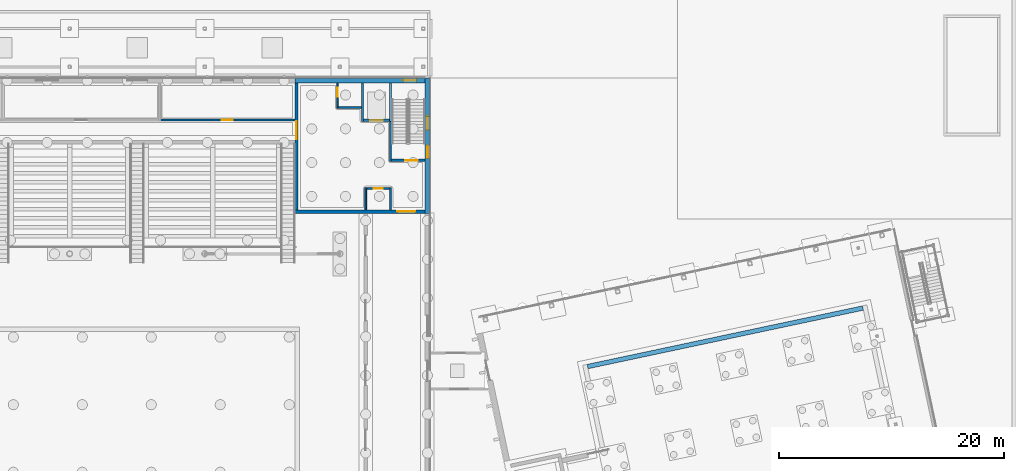
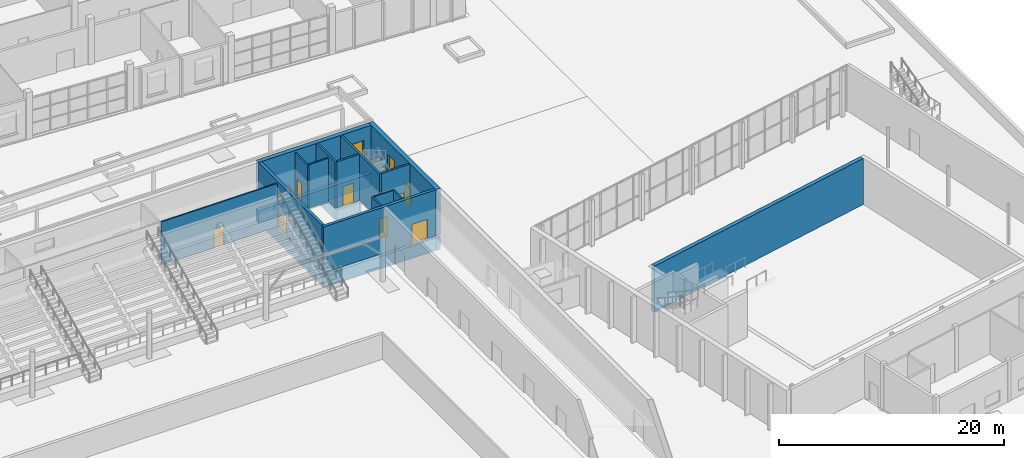
# One storey, part 105 of 157: 22 walls, 8 doors, 2 windows, 10 openings.
"""IFC4 building model written with IfcOpenShell, lengths in metres."""

from ifc_helpers import new_model, si_unit, direction, frame, frame_2d, origin, place, context, subcontext, project, spatial, rectangle, extrude, material, layer, layer_set, type_object, element, fill, save


model = new_model("IFC4")

# Units and contexts
model_context = context("Model", 3, precision=1e-05, world=origin(), true_north=direction((0.0, 1.0)))
body_context = subcontext(model_context, "Body", "Model", "MODEL_VIEW")
ifc_project = project(units=[si_unit("LENGTHUNIT", "METRE"), si_unit("AREAUNIT", "SQUARE_METRE"), si_unit("VOLUMEUNIT", "CUBIC_METRE"), si_unit("PLANEANGLEUNIT", "RADIAN"), si_unit("MASSUNIT", "GRAM", prefix="KILO")], contexts=[model_context])

# Site, building, storey
site_placement = place(None, origin())
site = spatial("IfcSite", under=ifc_project, at=site_placement, CompositionType="ELEMENT")
building_placement = place(site_placement, origin())
building = spatial("IfcBuilding", under=site, at=building_placement, Name="Windward Yard Aquatics Centre", CompositionType="ELEMENT")
storey_placement = place(building_placement, origin())
storey = spatial("IfcBuildingStorey", under=building, at=storey_placement, Name="L00", CompositionType="ELEMENT", Elevation=0.0)

# Walls
ifc_material_1 = material(Name="Ceramic tile in waterproof adhesive")
ifc_layer_1 = layer(ifc_material_1, 0.02, Name="Tile lining")
ifc_material_2 = material(Name="Cementitious waterproofing membrane")
ifc_layer_2 = layer(ifc_material_2, 0.005, Name="Waterproofing")
ifc_material_3 = material(Name="Concrete C40/50", Category="concrete")
ifc_layer_3 = layer(ifc_material_3, 0.375, Name="Structure")
ifc_layer_set_1 = layer_set([ifc_layer_1, ifc_layer_2, ifc_layer_3], Name="D pool tank wall 400")
wall_type_1 = type_object("IfcWallType", Name="D pool tank wall 400", PredefinedType="SOLIDWALL", material=ifc_layer_set_1)
wall_1_placement = place(storey_placement, frame((165.993896484375, 70.38720703125, -5.0), z_axis=(0.0, 0.0, 1.0), x_axis=(0.978147780131, 0.207910846818, 0.0)))
element("IfcWall", 1, at=wall_1_placement, inside=storey, type_object=wall_type_1, Name="Diving Pool Tank Wall North", PredefinedType="SOLIDWALL", context=body_context, shape_type="SweptSolid", body=[
    extrude(rectangle(XDim=25.0, YDim=0.39990234375, at=frame_2d((12.5, 0.0))), origin(), (0.0, 0.0, 1.0), 5.0),
])
ifc_material_4 = material(Name="Concrete C35/45", Category="concrete")
ifc_layer_4 = layer(ifc_material_4, 0.199951171875)
ifc_layer_set_2 = layer_set([ifc_layer_4], Name="H Enclosure Wall Concrete C35/45 200")
wall_type_2 = type_object("IfcWallType", Name="H Enclosure Wall Concrete C35/45 200", PredefinedType="SOLIDWALL", material=ifc_layer_set_2)
wall_2_placement = place(storey_placement, frame((148.5, 95.550048828125, 0.0), z_axis=(0.0, 0.0, 1.0), x_axis=(0.0, -1.0, 0.0)))
element("IfcWall", 2, at=wall_2_placement, inside=storey, type_object=wall_type_2, Name="L00 W1 enclosure wall NE", PredefinedType="SOLIDWALL", context=body_context, shape_type="SweptSolid", body=[
    extrude(rectangle(XDim=6.949951171875, YDim=0.199951171875, at=frame_2d((3.47509765625, 0.0))), origin(), (0.0, 0.0, 1.0), 5.0),
])

# Wall, opening, door
wall_3_placement = place(storey_placement, frame((151.550048828125, 88.699951171875, 0.0), z_axis=(0.0, 0.0, 1.0), x_axis=(-1.0, 0.0, 0.0)))
wall_3 = element("IfcWall", 3, at=wall_3_placement, inside=storey, type_object=wall_type_2, Name="L00 W2 enclosure wall NE", PredefinedType="SOLIDWALL", context=body_context, shape_type="SweptSolid", body=[
    extrude(rectangle(XDim=2.949951171875, YDim=0.199951171875, at=frame_2d((1.47509765625, 0.0))), origin(), (0.0, 0.0, 1.0), 5.0),
])
opening_1_placement = place(wall_3_placement, frame((0.64990234375, 0.0, 0.0)))
opening_1 = element("IfcOpeningElement", 4, at=opening_1_placement, cuts=wall_3, Name="Opening H0022", PredefinedType="OPENING", context=body_context, shape_type="SweptSolid", body=[
    extrude(rectangle(XDim=1.10009765625, YDim=2.10009765625, at=frame_2d((0.550048828125, 1.050048828125))), frame((0.0, 0.10986328125, 0.0), z_axis=(0.0, -1.0, 0.0), x_axis=(1.0, 0.0, 0.0)), (0.0, 0.0, 1.0), 0.219970703125),
])
ifc_material_5 = material(Name="Steel and timber door leaf", Category="steel")
door_type_1 = type_object("IfcDoorType", Name="H Door Single 1100 x 2100 FD60", OperationType="NOTDEFINED", PredefinedType="DOOR", material=ifc_material_5)
door_1_placement = place(opening_1_placement, origin())
door_1 = element("IfcDoor", 5, at=door_1_placement, inside=storey, type_object=door_type_1, Name="L00 stair NE door", OperationType="SINGLE_SWING_LEFT", OverallHeight=2.10009765625, OverallWidth=1.10009765625, PredefinedType="DOOR", context=body_context, shape_type="SweptSolid", body=[
    extrude(rectangle(XDim=1.10009765625, YDim=2.10009765625, at=frame_2d((0.550048828125, 1.050048828125))), frame((0.0, 0.02490234375, 0.0), z_axis=(0.0, -1.0, 0.0), x_axis=(1.0, 0.0, 0.0)), (0.0, 0.0, 1.0), 0.050048828125),
])
fill(opening_1, door_1)

# Wall
wall_4_placement = place(storey_placement, frame((146.0, 95.550048828125, 0.0), z_axis=(0.0, 0.0, 1.0), x_axis=(0.0, -1.0, 0.0)))
element("IfcWall", 6, at=wall_4_placement, inside=storey, type_object=wall_type_2, Name="L00 W3 enclosure wall NE", PredefinedType="SOLIDWALL", context=body_context, shape_type="SweptSolid", body=[
    extrude(rectangle(XDim=3.400146484375, YDim=0.199951171875, at=frame_2d((1.7001953125, 0.0))), origin(), (0.0, 0.0, 1.0), 5.0),
])

# Wall, opening, door
wall_5_placement = place(storey_placement, frame((148.39990234375, 92.25, 0.0), z_axis=(0.0, 0.0, 1.0), x_axis=(-1.0, 0.0, 0.0)))
wall_5 = element("IfcWall", 7, at=wall_5_placement, inside=storey, type_object=wall_type_2, Name="L00 W4 enclosure wall NE", PredefinedType="SOLIDWALL", context=body_context, shape_type="SweptSolid", body=[
    extrude(rectangle(XDim=2.2998046875, YDim=0.199951171875, at=frame_2d((1.14990234375, 0.0))), origin(), (0.0, 0.0, 1.0), 5.0),
])
opening_2_placement = place(wall_5_placement, frame((0.60009765625, 0.0, 0.0)))
opening_2 = element("IfcOpeningElement", 8, at=opening_2_placement, cuts=wall_5, Name="Opening H0023", PredefinedType="OPENING", context=body_context, shape_type="SweptSolid", body=[
    extrude(rectangle(XDim=1.10009765625, YDim=2.10009765625, at=frame_2d((0.550048828125, 1.050048828125))), frame((0.0, 0.10986328125, 0.0), z_axis=(0.0, -1.0, 0.0), x_axis=(1.0, 0.0, 0.0)), (0.0, 0.0, 1.0), 0.219970703125),
])
ifc_material_6 = material(Name="Stainless steel 1.4301", Category="steel")
door_type_2 = type_object("IfcDoorType", Name="H Lift Landing Door 1100 x 2100", OperationType="DOUBLE_DOOR_SLIDING", PredefinedType="DOOR", material=ifc_material_6)
door_2_placement = place(opening_2_placement, origin())
door_2 = element("IfcDoor", 9, at=door_2_placement, inside=storey, type_object=door_type_2, Name="Lift NE landing door L00", OperationType="DOUBLE_DOOR_SLIDING", OverallHeight=2.10009765625, OverallWidth=1.10009765625, PredefinedType="DOOR", context=body_context, shape_type="SweptSolid", body=[
    extrude(rectangle(XDim=1.10009765625, YDim=2.10009765625, at=frame_2d((0.550048828125, 1.050048828125))), frame((0.0, 0.02490234375, 0.0), z_axis=(0.0, -1.0, 0.0), x_axis=(1.0, 0.0, 0.0)), (0.0, 0.0, 1.0), 0.050048828125),
])
fill(opening_2, door_2)

# Walls
ifc_layer_5 = layer(ifc_material_4, 0.199951171875)
ifc_layer_set_3 = layer_set([ifc_layer_5], Name="H Lift Pit Wall Concrete C35/45 200")
wall_type_3 = type_object("IfcWallType", Name="H Lift Pit Wall Concrete C35/45 200", PredefinedType="SOLIDWALL", material=ifc_layer_set_3)
for number, where, z_axis, x_axis, name in (
    (10, (148.5, 95.550048828125, -1.300048828125), (0.0, 0.0, 1.0), (0.0, -1.0, 0.0), "Lift pit wall P1 NE"),
    (11, (146.0, 95.550048828125, -1.300048828125), (0.0, 0.0, 1.0), (0.0, -1.0, 0.0), "Lift pit wall P3 NE"),
):
    element("IfcWall", number, at=place(storey_placement, frame(where, z_axis=z_axis, x_axis=x_axis)), inside=storey, type_object=wall_type_3, Name=name, PredefinedType="SOLIDWALL", context=body_context, shape_type="SweptSolid", body=[
        extrude(rectangle(XDim=3.400146484375, YDim=0.199951171875, at=frame_2d((1.7001953125, 0.0))), origin(), (0.0, 0.0, 1.0), 1.050048828125),
    ])
wall_6_placement = place(storey_placement, frame((148.39990234375, 92.25, -1.300048828125), z_axis=(0.0, 0.0, 1.0), x_axis=(-1.0, 0.0, 0.0)))
element("IfcWall", 12, at=wall_6_placement, inside=storey, type_object=wall_type_3, Name="Lift pit wall P4 NE", PredefinedType="SOLIDWALL", context=body_context, shape_type="SweptSolid", body=[
    extrude(rectangle(XDim=2.2998046875, YDim=0.199951171875, at=frame_2d((1.14990234375, 0.0))), origin(), (0.0, 0.0, 1.0), 1.050048828125),
])
ifc_material_7 = material(Name="Blockwork 150 mm", Category="masonry")
ifc_layer_6 = layer(ifc_material_7, 0.14990234375)
ifc_layer_set_4 = layer_set([ifc_layer_6], Name="H Partition Blockwork 150")
wall_type_4 = type_object("IfcWallType", Name="H Partition Blockwork 150", PredefinedType="PARTITIONING", material=ifc_layer_set_4)
wall_7_placement = place(storey_placement, frame((145.89990234375, 93.39990234375, 0.0), z_axis=(0.0, 0.0, 1.0), x_axis=(-1.0, 0.0, 0.0)))
element("IfcWall", 13, at=wall_7_placement, inside=storey, type_object=wall_type_4, Name="L00 R1N riser wall NE", PredefinedType="PARTITIONING", context=body_context, shape_type="SweptSolid", body=[
    extrude(rectangle(XDim=2.02490234375, YDim=0.14990234375, at=frame_2d((1.012451171875, 0.0))), origin(), (0.0, 0.0, 1.0), 4.75),
])

# Wall, opening, door
wall_8_placement = place(storey_placement, frame((143.800048828125, 95.550048828125, 0.0), z_axis=(0.0, 0.0, 1.0), x_axis=(0.0, -1.0, 0.0)))
wall_8 = element("IfcWall", 14, at=wall_8_placement, inside=storey, type_object=wall_type_4, Name="L00 R1E riser wall NE", PredefinedType="PARTITIONING", context=body_context, shape_type="SweptSolid", body=[
    extrude(rectangle(XDim=2.22509765625, YDim=0.14990234375, at=frame_2d((1.112548828125, 0.0))), origin(), (0.0, 0.0, 1.0), 4.75),
])
opening_3_placement = place(wall_8_placement, frame((0.39990234375, 0.0, 0.0)))
opening_3 = element("IfcOpeningElement", 15, at=opening_3_placement, cuts=wall_8, Name="Opening H0024", PredefinedType="OPENING", context=body_context, shape_type="SweptSolid", body=[
    extrude(rectangle(XDim=0.800048828125, YDim=2.10009765625, at=frame_2d((0.39990234375, 1.050048828125))), frame((0.0, 0.0849609375, 0.0), z_axis=(0.0, -1.0, 0.0), x_axis=(1.0, 0.0, 0.0)), (0.0, 0.0, 1.0), 0.169921875),
])
door_type_3 = type_object("IfcDoorType", Name="H Door Riser 800 x 2100 FD60", OperationType="NOTDEFINED", PredefinedType="DOOR", material=ifc_material_5)
door_3_placement = place(opening_3_placement, origin())
door_3 = element("IfcDoor", 16, at=door_3_placement, inside=storey, type_object=door_type_3, Name="L00 electrical riser NE door", OperationType="SINGLE_SWING_RIGHT", OverallHeight=2.10009765625, OverallWidth=0.800048828125, PredefinedType="DOOR", context=body_context, shape_type="SweptSolid", body=[
    extrude(rectangle(XDim=0.800048828125, YDim=2.10009765625, at=frame_2d((0.39990234375, 1.050048828125))), frame((0.0, 0.02490234375, 0.0), z_axis=(0.0, -1.0, 0.0), x_axis=(1.0, 0.0, 0.0)), (0.0, 0.0, 1.0), 0.050048828125),
])
fill(opening_3, door_3)

wall_9_placement = place(storey_placement, frame((148.425048828125, 86.199951171875, 0.0), z_axis=(0.0, 0.0, 1.0), x_axis=(-1.0, 0.0, 0.0)))
wall_9 = element("IfcWall", 17, at=wall_9_placement, inside=storey, type_object=wall_type_4, Name="L00 R2S riser wall NE", PredefinedType="PARTITIONING", context=body_context, shape_type="SweptSolid", body=[
    extrude(rectangle(XDim=2.050048828125, YDim=0.14990234375, at=frame_2d((1.02490234375, 0.0))), origin(), (0.0, 0.0, 1.0), 4.75),
])
opening_4_placement = place(wall_9_placement, frame((0.625, 0.0, 0.0)))
opening_4 = element("IfcOpeningElement", 18, at=opening_4_placement, cuts=wall_9, Name="Opening H0025", PredefinedType="OPENING", context=body_context, shape_type="SweptSolid", body=[
    extrude(rectangle(XDim=0.800048828125, YDim=2.10009765625, at=frame_2d((0.39990234375, 1.050048828125))), frame((0.0, 0.0849609375, 0.0), z_axis=(0.0, -1.0, 0.0), x_axis=(1.0, 0.0, 0.0)), (0.0, 0.0, 1.0), 0.169921875),
])
door_4_placement = place(opening_4_placement, origin())
door_4 = element("IfcDoor", 19, at=door_4_placement, inside=storey, type_object=door_type_3, Name="L00 communications riser NE door", OperationType="SINGLE_SWING_LEFT", OverallHeight=2.10009765625, OverallWidth=0.800048828125, PredefinedType="DOOR", context=body_context, shape_type="SweptSolid", body=[
    extrude(rectangle(XDim=0.800048828125, YDim=2.10009765625, at=frame_2d((0.39990234375, 1.050048828125))), frame((0.0, 0.02490234375, 0.0), z_axis=(0.0, -1.0, 0.0), x_axis=(1.0, 0.0, 0.0)), (0.0, 0.0, 1.0), 0.050048828125),
])
fill(opening_4, door_4)

# Walls
for number, where, z_axis, x_axis, name in (
    (20, (148.5, 86.27490234375, 0.0), (0.0, 0.0, 1.0), (0.0, -1.0, 0.0), "L00 R2W riser wall NE"),
    (21, (146.300048828125, 86.27490234375, 0.0), (0.0, 0.0, 1.0), (0.0, -1.0, 0.0), "L00 R2E riser wall NE"),
):
    element("IfcWall", number, at=place(storey_placement, frame(where, z_axis=z_axis, x_axis=x_axis)), inside=storey, type_object=wall_type_4, Name=name, PredefinedType="PARTITIONING", context=body_context, shape_type="SweptSolid", body=[
        extrude(rectangle(XDim=1.974853515625, YDim=0.14990234375, at=frame_2d((0.9873046875, 0.0))), origin(), (0.0, 0.0, 1.0), 4.75),
    ])

# Wall, opening, door
wall_10_placement = place(storey_placement, frame((128.074951171875, 92.280029296875, 0.0), z_axis=(0.0, 0.0, 1.0), x_axis=(1.0, 0.0, 0.0)))
wall_10 = element("IfcWall", 22, at=wall_10_placement, inside=storey, type_object=wall_type_4, Name="L00 partition Broadcast Storage Room", PredefinedType="PARTITIONING", context=body_context, shape_type="SweptSolid", body=[
    extrude(rectangle(XDim=11.925048828125, YDim=0.14990234375, at=frame_2d((5.96240234375, 0.0))), origin(), (0.0, 0.0, 1.0), 4.75),
])
opening_5_placement = place(wall_10_placement, frame((5.425048828125, 0.0, 0.0)))
opening_5 = element("IfcOpeningElement", 23, at=opening_5_placement, cuts=wall_10, Name="Opening H0046", PredefinedType="OPENING", context=body_context, shape_type="SweptSolid", body=[
    extrude(rectangle(XDim=1.0, YDim=2.10009765625, at=frame_2d((0.5, 1.050048828125))), frame((0.0, 0.0849609375, 0.0), z_axis=(0.0, -1.0, 0.0), x_axis=(1.0, 0.0, 0.0)), (0.0, 0.0, 1.0), 0.169921875),
])
door_type_4 = type_object("IfcDoorType", Name="H Door Single 1000 x 2100 FD30S", OperationType="NOTDEFINED", PredefinedType="DOOR", material=ifc_material_5)
door_5_placement = place(opening_5_placement, origin())
door_5 = element("IfcDoor", 24, at=door_5_placement, inside=storey, type_object=door_type_4, Name="L00 Broadcast Storage Room door", OperationType="SINGLE_SWING_RIGHT", OverallHeight=2.10009765625, OverallWidth=1.0, PredefinedType="DOOR", context=body_context, shape_type="SweptSolid", body=[
    extrude(rectangle(XDim=1.0, YDim=2.10009765625, at=frame_2d((0.5, 1.050048828125))), frame((0.0, 0.02490234375, 0.0), z_axis=(0.0, -1.0, 0.0), x_axis=(1.0, 0.0, 0.0)), (0.0, 0.0, 1.0), 0.050048828125),
])
fill(opening_5, door_5)

# Wall
ifc_material_8 = material(Name="Natural stone cladding", Category="masonry")
ifc_layer_7 = layer(ifc_material_8, 0.04, Name="Cladding")
ifc_material_9 = material(Name="Ventilated air cavity")
ifc_layer_8 = layer(ifc_material_9, 0.05, ventilated=True, Name="Ventilated cavity")
ifc_material_10 = material(Name="Mineral wool insulation")
ifc_layer_9 = layer(ifc_material_10, 0.08, Name="Insulation")
ifc_layer_10 = layer(ifc_material_4, 0.28, Name="Structure")
ifc_layer_set_5 = layer_set([ifc_layer_7, ifc_layer_8, ifc_layer_9, ifc_layer_10], Name="H plinth wall stone faced 450 C35/45")
wall_type_5 = type_object("IfcWallType", Name="H plinth wall stone faced 450 C35/45", PredefinedType="ELEMENTEDWALL", material=ifc_layer_set_5)
wall_11_placement = place(storey_placement, frame((151.77490234375, 96.0, -1.60009765625), z_axis=(0.0, 0.0, 1.0), x_axis=(0.0, -1.0, 0.0)))
element("IfcWall", 25, at=wall_11_placement, inside=storey, type_object=wall_type_5, Name="H.CW.NE.E.PIT", PredefinedType="ELEMENTEDWALL", context=body_context, shape_type="SweptSolid", body=[
    extrude(rectangle(XDim=12.0, YDim=0.449951171875, at=frame_2d((6.0, 0.0))), origin(), (0.0, 0.0, 1.0), 1.35009765625),
])

# Wall, openings, window, door
wall_12_placement = place(storey_placement, frame((151.77490234375, 96.0, 0.0), z_axis=(0.0, 0.0, 1.0), x_axis=(0.0, -1.0, 0.0)))
wall_12 = element("IfcWall", 26, at=wall_12_placement, inside=storey, type_object=wall_type_5, Name="H.CW.NE.E.L00", PredefinedType="ELEMENTEDWALL", context=body_context, shape_type="SweptSolid", body=[
    extrude(rectangle(XDim=12.0, YDim=0.449951171875, at=frame_2d((6.0, 0.0))), origin(), (0.0, 0.0, 1.0), 5.0),
])
opening_6_placement = place(wall_12_placement, frame((6.0, 0.0, 0.0)))
opening_6 = element("IfcOpeningElement", 27, at=opening_6_placement, cuts=wall_12, Name="Opening H0028", PredefinedType="OPENING", context=body_context, shape_type="SweptSolid", body=[
    extrude(rectangle(XDim=1.10009765625, YDim=2.10009765625, at=frame_2d((0.550048828125, 1.050048828125))), frame((0.0, 0.23486328125, 0.0), z_axis=(0.0, -1.0, 0.0), x_axis=(1.0, 0.0, 0.0)), (0.0, 0.0, 1.0), 0.469970703125),
])
opening_7_placement = place(wall_12_placement, frame((3.39990234375, 0.0, 0.60009765625)))
opening_7 = element("IfcOpeningElement", 28, at=opening_7_placement, cuts=wall_12, Name="Opening W0106", PredefinedType="OPENING", context=body_context, shape_type="SweptSolid", body=[
    extrude(rectangle(XDim=1.199951171875, YDim=3.0, at=frame_2d((0.60009765625, 1.5))), frame((0.0, 0.23486328125, 0.0), z_axis=(0.0, -1.0, 0.0), x_axis=(1.0, 0.0, 0.0)), (0.0, 0.0, 1.0), 0.469970703125),
])
ifc_material_11 = material(Name="Fire-resisting glazing in steel frame", Category="steel")
window_type = type_object("IfcWindowType", Name="H Core Stair Window 1200 x 3000 EI 60", PartitioningType="SINGLE_PANEL", PredefinedType="WINDOW", material=ifc_material_11)
window_1_placement = place(opening_7_placement, origin())
window_1 = element("IfcWindow", 29, at=window_1_placement, inside=storey, type_object=window_type, Name="L00 core NE stair window", OverallHeight=3.0, OverallWidth=1.199951171875, PartitioningType="SINGLE_PANEL", PredefinedType="WINDOW", context=body_context, shape_type="SweptSolid", body=[
    extrude(rectangle(XDim=1.199951171875, YDim=3.0, at=frame_2d((0.60009765625, 1.5))), frame((0.0, 0.030029296875, 0.0), z_axis=(0.0, -1.0, 0.0), x_axis=(1.0, 0.0, 0.0)), (0.0, 0.0, 1.0), 0.06005859375),
])
fill(opening_7, window_1)
door_6_placement = place(opening_6_placement, origin())
door_6 = element("IfcDoor", 30, at=door_6_placement, inside=storey, type_object=door_type_1, Name="Stair NE exit door", OperationType="SINGLE_SWING_LEFT", OverallHeight=2.10009765625, OverallWidth=1.10009765625, PredefinedType="DOOR", context=body_context, shape_type="SweptSolid", body=[
    extrude(rectangle(XDim=1.10009765625, YDim=2.10009765625, at=frame_2d((0.550048828125, 1.050048828125))), frame((0.0, 0.02490234375, 0.0), z_axis=(0.0, -1.0, 0.0), x_axis=(1.0, 0.0, 0.0)), (0.0, 0.0, 1.0), 0.050048828125),
])
fill(opening_6, door_6)

# Wall
wall_13_placement = place(storey_placement, frame((151.550048828125, 95.77490234375, -1.60009765625), z_axis=(0.0, 0.0, 1.0), x_axis=(-1.0, 0.0, 0.0)))
element("IfcWall", 31, at=wall_13_placement, inside=storey, type_object=wall_type_5, Name="H.CW.NE.N.PIT", PredefinedType="ELEMENTEDWALL", context=body_context, shape_type="SweptSolid", body=[
    extrude(rectangle(XDim=11.550048828125, YDim=0.449951171875, at=frame_2d((5.77490234375, 0.0))), origin(), (0.0, 0.0, 1.0), 1.35009765625),
])

# Wall, opening, window
wall_14_placement = place(storey_placement, frame((151.550048828125, 95.77490234375, 0.0), z_axis=(0.0, 0.0, 1.0), x_axis=(-1.0, 0.0, 0.0)))
wall_14 = element("IfcWall", 32, at=wall_14_placement, inside=storey, type_object=wall_type_5, Name="H.CW.NE.N.L00", PredefinedType="ELEMENTEDWALL", context=body_context, shape_type="SweptSolid", body=[
    extrude(rectangle(XDim=11.550048828125, YDim=0.449951171875, at=frame_2d((5.77490234375, 0.0))), origin(), (0.0, 0.0, 1.0), 5.0),
])
opening_8_placement = place(wall_14_placement, frame((0.75, 0.0, 0.60009765625)))
opening_8 = element("IfcOpeningElement", 33, at=opening_8_placement, cuts=wall_14, Name="Opening W0107", PredefinedType="OPENING", context=body_context, shape_type="SweptSolid", body=[
    extrude(rectangle(XDim=1.199951171875, YDim=3.0, at=frame_2d((0.60009765625, 1.5))), frame((0.0, 0.23486328125, 0.0), z_axis=(0.0, -1.0, 0.0), x_axis=(1.0, 0.0, 0.0)), (0.0, 0.0, 1.0), 0.469970703125),
])
window_2_placement = place(opening_8_placement, origin())
window_2 = element("IfcWindow", 34, at=window_2_placement, inside=storey, type_object=window_type, Name="L00 core NE stair window", OverallHeight=3.0, OverallWidth=1.199951171875, PartitioningType="SINGLE_PANEL", PredefinedType="WINDOW", context=body_context, shape_type="SweptSolid", body=[
    extrude(rectangle(XDim=1.199951171875, YDim=3.0, at=frame_2d((0.60009765625, 1.5))), frame((0.0, 0.030029296875, 0.0), z_axis=(0.0, -1.0, 0.0), x_axis=(1.0, 0.0, 0.0)), (0.0, 0.0, 1.0), 0.06005859375),
])
fill(opening_8, window_2)

# Wall
ifc_layer_11 = layer(ifc_material_4, 0.300048828125)
ifc_layer_set_6 = layer_set([ifc_layer_11], Name="H rear wall 300 C35/45")
wall_type_6 = type_object("IfcWallType", Name="H rear wall 300 C35/45", PredefinedType="SOLIDWALL", material=ifc_layer_set_6)
wall_15_placement = place(storey_placement, frame((140.14990234375, 95.550048828125, -1.60009765625), z_axis=(0.0, 0.0, 1.0), x_axis=(0.0, -1.0, 0.0)))
element("IfcWall", 35, at=wall_15_placement, inside=storey, type_object=wall_type_6, Name="H.CW.NE.W.PIT", PredefinedType="SOLIDWALL", context=body_context, shape_type="SweptSolid", body=[
    extrude(rectangle(XDim=11.25, YDim=0.300048828125, at=frame_2d((5.625, 0.0))), origin(), (0.0, 0.0, 1.0), 1.35009765625),
])

# Wall, opening, door
wall_16_placement = place(storey_placement, frame((140.14990234375, 95.550048828125, 0.0), z_axis=(0.0, 0.0, 1.0), x_axis=(0.0, -1.0, 0.0)))
wall_16 = element("IfcWall", 36, at=wall_16_placement, inside=storey, type_object=wall_type_6, Name="H.CW.NE.W.L00", PredefinedType="SOLIDWALL", context=body_context, shape_type="SweptSolid", body=[
    extrude(rectangle(XDim=11.25, YDim=0.300048828125, at=frame_2d((5.625, 0.0))), origin(), (0.0, 0.0, 1.0), 5.0),
])
opening_9_placement = place(wall_16_placement, frame((3.3701171875, 0.0, 0.0)))
opening_9 = element("IfcOpeningElement", 37, at=opening_9_placement, cuts=wall_16, Name="Opening H0026", PredefinedType="OPENING", context=body_context, shape_type="SweptSolid", body=[
    extrude(rectangle(XDim=1.60009765625, YDim=2.10009765625, at=frame_2d((0.800048828125, 1.050048828125))), frame((0.0, 0.16015625, 0.0), z_axis=(0.0, -1.0, 0.0), x_axis=(1.0, 0.0, 0.0)), (0.0, 0.0, 1.0), 0.320068359375),
])
door_type_5 = type_object("IfcDoorType", Name="H Door Double 1600 x 2100 FD60", OperationType="DOUBLE_DOOR_SINGLE_SWING", PredefinedType="DOOR", material=ifc_material_5)
door_7_placement = place(opening_9_placement, origin())
door_7 = element("IfcDoor", 38, at=door_7_placement, inside=storey, type_object=door_type_5, Name="L00 core NE door to strip", OperationType="DOUBLE_DOOR_SINGLE_SWING", OverallHeight=2.10009765625, OverallWidth=1.60009765625, PredefinedType="DOOR", context=body_context, shape_type="SweptSolid", body=[
    extrude(rectangle(XDim=1.60009765625, YDim=2.10009765625, at=frame_2d((0.800048828125, 1.050048828125))), frame((0.0, 0.02490234375, 0.0), z_axis=(0.0, -1.0, 0.0), x_axis=(1.0, 0.0, 0.0)), (0.0, 0.0, 1.0), 0.050048828125),
])
fill(opening_9, door_7)

# Wall
wall_17_placement = place(storey_placement, frame((151.550048828125, 84.14990234375, -1.60009765625), z_axis=(0.0, 0.0, 1.0), x_axis=(-1.0, 0.0, 0.0)))
element("IfcWall", 39, at=wall_17_placement, inside=storey, type_object=wall_type_6, Name="H.CW.NE.S.PIT", PredefinedType="SOLIDWALL", context=body_context, shape_type="SweptSolid", body=[
    extrude(rectangle(XDim=11.550048828125, YDim=0.300048828125, at=frame_2d((5.77490234375, 0.0))), origin(), (0.0, 0.0, 1.0), 1.35009765625),
])

# Wall, opening, door
wall_18_placement = place(storey_placement, frame((151.550048828125, 84.14990234375, 0.0), z_axis=(0.0, 0.0, 1.0), x_axis=(-1.0, 0.0, 0.0)))
wall_18 = element("IfcWall", 40, at=wall_18_placement, inside=storey, type_object=wall_type_6, Name="H.CW.NE.S.L00", PredefinedType="SOLIDWALL", context=body_context, shape_type="SweptSolid", body=[
    extrude(rectangle(XDim=11.550048828125, YDim=0.300048828125, at=frame_2d((5.77490234375, 0.0))), origin(), (0.0, 0.0, 1.0), 5.0),
])
opening_10_placement = place(wall_18_placement, frame((0.85009765625, 0.0, 0.0)))
opening_10 = element("IfcOpeningElement", 41, at=opening_10_placement, cuts=wall_18, Name="Opening H0027", PredefinedType="OPENING", context=body_context, shape_type="SweptSolid", body=[
    extrude(rectangle(XDim=1.60009765625, YDim=2.10009765625, at=frame_2d((0.800048828125, 1.050048828125))), frame((0.0, 0.16015625, 0.0), z_axis=(0.0, -1.0, 0.0), x_axis=(1.0, 0.0, 0.0)), (0.0, 0.0, 1.0), 0.320068359375),
])
door_8_placement = place(opening_10_placement, origin())
door_8 = element("IfcDoor", 42, at=door_8_placement, inside=storey, type_object=door_type_5, Name="L00 core NE door to gable", OperationType="DOUBLE_DOOR_SINGLE_SWING", OverallHeight=2.10009765625, OverallWidth=1.60009765625, PredefinedType="DOOR", context=body_context, shape_type="SweptSolid", body=[
    extrude(rectangle(XDim=1.60009765625, YDim=2.10009765625, at=frame_2d((0.800048828125, 1.050048828125))), frame((0.0, 0.02490234375, 0.0), z_axis=(0.0, -1.0, 0.0), x_axis=(1.0, 0.0, 0.0)), (0.0, 0.0, 1.0), 0.050048828125),
])
fill(opening_10, door_8)

save(model, "model.ifc")
